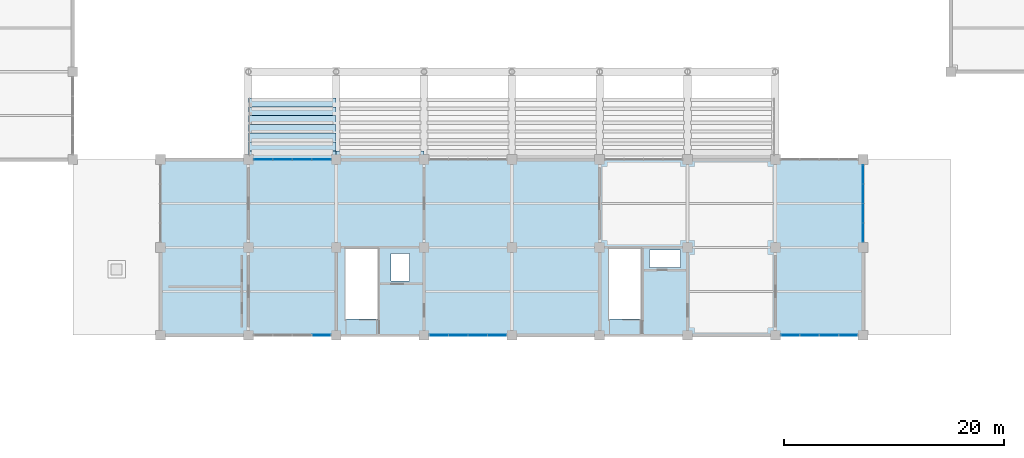
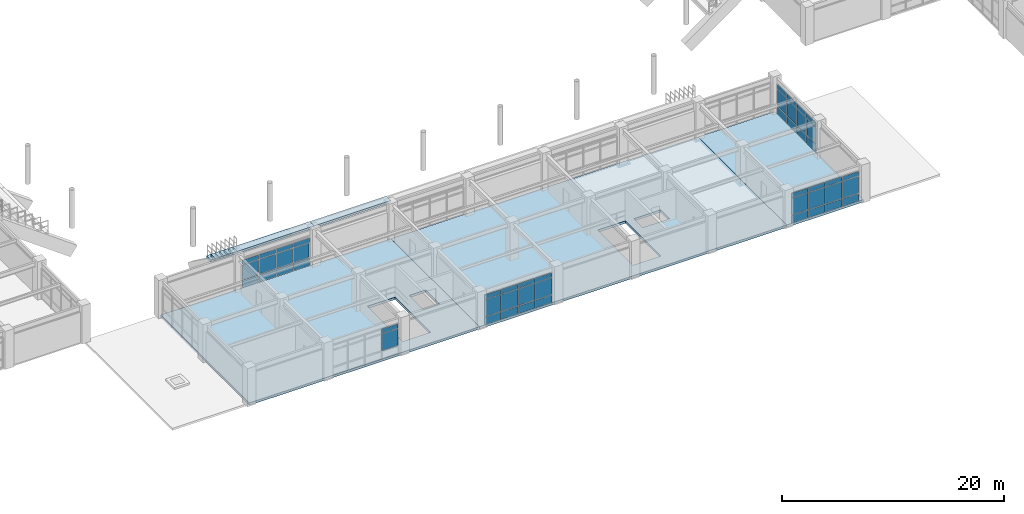
# One storey, part 66 of 118: 50 plates, 11 slabs, 5 elements without a shape of their own.
"""IFC4 building model written with IfcOpenShell, lengths in metres."""

from ifc_helpers import new_model, si_unit, direction, frame, origin, origin_2d, place, context, subcontext, project, spatial, polyline, rectangle, outline, extrude, material, layer, layer_set, type_object, element, aggregate, save


model = new_model("IFC4")

# Units and contexts
model_context = context("Model", 3, precision=1e-05, world=origin(), true_north=direction((0.0, 1.0)))
body_context = subcontext(model_context, "Body", "Model", "MODEL_VIEW")
ifc_project = project(units=[si_unit("LENGTHUNIT", "METRE"), si_unit("AREAUNIT", "SQUARE_METRE"), si_unit("VOLUMEUNIT", "CUBIC_METRE"), si_unit("PLANEANGLEUNIT", "RADIAN"), si_unit("MASSUNIT", "GRAM", prefix="KILO")], contexts=[model_context])

# Site, building, storey
site_placement = place(None, origin())
site = spatial("IfcSite", under=ifc_project, at=site_placement, CompositionType="ELEMENT")
building_placement = place(site_placement, origin())
building = spatial("IfcBuilding", under=site, at=building_placement, Name="Haebicheon Civic Stadium", CompositionType="ELEMENT")
storey_placement = place(building_placement, frame((0.0, 0.0, 14.39990234375)))
storey = spatial("IfcBuildingStorey", under=building, at=storey_placement, Name="L04", CompositionType="ELEMENT", Elevation=14.39990234375)

# Curtain wall, plate
ifc_material_1 = material(Name="Anodised aluminium and laminated glass", Category="aluminium")
ifc_layer_1 = layer(ifc_material_1, 0.179931640625, Name="Anodised aluminium and laminated glass")
ifc_layer_set_1 = layer_set([ifc_layer_1], Name="Anodised aluminium and laminated glass")
curtain_wall_type_1 = type_object("IfcCurtainWallType", Name="CW-7100x3350", PredefinedType="NOTDEFINED", material=ifc_layer_set_1)
curtain_wall_1_placement = place(storey_placement, origin())
curtain_wall_1 = element("IfcCurtainWall", 1, at=curtain_wall_1_placement, inside=storey, type_object=curtain_wall_type_1, material=ifc_layer_set_1, Name="L04 unitised curtain wall 129", PredefinedType="NOTDEFINED")
ifc_material_2 = material(Name="Double low-e acoustic laminated glass", Category="glass")
ifc_layer_2 = layer(ifc_material_2, 0.035888671875, Name="Double low-e acoustic laminated glass")
ifc_layer_set_2 = layer_set([ifc_layer_2], Name="Double low-e acoustic laminated glass")
plate_type_1 = type_object("IfcPlateType", Name="CWP-GLZ-36", PredefinedType="CURTAIN_PANEL", material=ifc_layer_set_2)
plate_1_placement = place(storey_placement, frame((86.64501953125, 16.0, 0.93505859375), z_axis=(0.0, 0.0, 1.0), x_axis=(1.0, 0.0, 0.0)))
plate_1 = element("IfcPlate", 2, at=plate_1_placement, type_object=plate_type_1, material=ifc_layer_set_2, Name="CW-L04-129 vision panel 4.2", PredefinedType="CURTAIN_PANEL", context=body_context, shape_type="SweptSolid", body=[
    extrude(rectangle(XDim=1.669921875, YDim=0.035888671875, at=origin_2d()), origin(), (0.0, 0.0, 1.0), 1.830078125),
])

# Curtain wall, plates
ifc_material_3 = material(Name="Anodised aluminium and laminated glass", Category="aluminium")
ifc_layer_3 = layer(ifc_material_3, 0.179931640625, Name="Anodised aluminium and laminated glass")
ifc_layer_set_3 = layer_set([ifc_layer_3], Name="Anodised aluminium and laminated glass")
curtain_wall_type_2 = type_object("IfcCurtainWallType", Name="CW-7100x3100", PredefinedType="NOTDEFINED", material=ifc_layer_set_3)
curtain_wall_2_placement = place(storey_placement, origin())
curtain_wall_2 = element("IfcCurtainWall", 3, at=curtain_wall_2_placement, inside=storey, type_object=curtain_wall_type_2, material=ifc_layer_set_3, Name="L04 unitised curtain wall 130", PredefinedType="NOTDEFINED")
plate_2_placement = place(storey_placement, frame((81.35498046875, 32.0, 0.93505859375), z_axis=(0.0, 0.0, 1.0), x_axis=(1.0, 0.0, 0.0)))
plate_2 = element("IfcPlate", 4, at=plate_2_placement, type_object=plate_type_1, material=ifc_layer_set_2, Name="CW-L04-130 vision panel 1.2", PredefinedType="CURTAIN_PANEL", context=body_context, shape_type="SweptSolid", body=[
    extrude(rectangle(XDim=1.669921875, YDim=0.035888671875, at=origin_2d()), origin(), (0.0, 0.0, 1.0), 1.580078125),
])
plate_3_placement = place(storey_placement, frame((83.112060546875, 32.0, 0.93505859375), z_axis=(0.0, 0.0, 1.0), x_axis=(1.0, 0.0, 0.0)))
plate_3 = element("IfcPlate", 5, at=plate_3_placement, type_object=plate_type_1, material=ifc_layer_set_2, Name="CW-L04-130 vision panel 2.2", PredefinedType="CURTAIN_PANEL", context=body_context, shape_type="SweptSolid", body=[
    extrude(rectangle(XDim=1.705078125, YDim=0.035888671875, at=origin_2d()), origin(), (0.0, 0.0, 1.0), 1.580078125),
])
plate_4_placement = place(storey_placement, frame((84.887939453125, 32.0, 0.93505859375), z_axis=(0.0, 0.0, 1.0), x_axis=(1.0, 0.0, 0.0)))
plate_4 = element("IfcPlate", 6, at=plate_4_placement, type_object=plate_type_1, material=ifc_layer_set_2, Name="CW-L04-130 vision panel 3.2", PredefinedType="CURTAIN_PANEL", context=body_context, shape_type="SweptSolid", body=[
    extrude(rectangle(XDim=1.705078125, YDim=0.035888671875, at=origin_2d()), origin(), (0.0, 0.0, 1.0), 1.580078125),
])
plate_5_placement = place(storey_placement, frame((86.64501953125, 32.0, 0.93505859375), z_axis=(0.0, 0.0, 1.0), x_axis=(1.0, 0.0, 0.0)))
plate_5 = element("IfcPlate", 7, at=plate_5_placement, type_object=plate_type_1, material=ifc_layer_set_2, Name="CW-L04-130 vision panel 4.2", PredefinedType="CURTAIN_PANEL", context=body_context, shape_type="SweptSolid", body=[
    extrude(rectangle(XDim=1.669921875, YDim=0.035888671875, at=origin_2d()), origin(), (0.0, 0.0, 1.0), 1.580078125),
])

curtain_wall_3_placement = place(storey_placement, origin())
curtain_wall_3 = element("IfcCurtainWall", 8, at=curtain_wall_3_placement, inside=storey, type_object=curtain_wall_type_1, material=ifc_layer_set_1, Name="L04 unitised curtain wall 132", PredefinedType="NOTDEFINED")
plate_6_placement = place(storey_placement, frame((97.35498046875, 16.0, 0.93505859375), z_axis=(0.0, 0.0, 1.0), x_axis=(1.0, 0.0, 0.0)))
plate_6 = element("IfcPlate", 9, at=plate_6_placement, type_object=plate_type_1, material=ifc_layer_set_2, Name="CW-L04-132 vision panel 1.2", PredefinedType="CURTAIN_PANEL", context=body_context, shape_type="SweptSolid", body=[
    extrude(rectangle(XDim=1.669921875, YDim=0.035888671875, at=origin_2d()), origin(), (0.0, 0.0, 1.0), 1.830078125),
])
plate_7_placement = place(storey_placement, frame((99.112060546875, 16.0, 0.93505859375), z_axis=(0.0, 0.0, 1.0), x_axis=(1.0, 0.0, 0.0)))
plate_7 = element("IfcPlate", 10, at=plate_7_placement, type_object=plate_type_1, material=ifc_layer_set_2, Name="CW-L04-132 vision panel 2.2", PredefinedType="CURTAIN_PANEL", context=body_context, shape_type="SweptSolid", body=[
    extrude(rectangle(XDim=1.705078125, YDim=0.035888671875, at=origin_2d()), origin(), (0.0, 0.0, 1.0), 1.830078125),
])
plate_8_placement = place(storey_placement, frame((100.887939453125, 16.0, 0.93505859375), z_axis=(0.0, 0.0, 1.0), x_axis=(1.0, 0.0, 0.0)))
plate_8 = element("IfcPlate", 11, at=plate_8_placement, type_object=plate_type_1, material=ifc_layer_set_2, Name="CW-L04-132 vision panel 3.2", PredefinedType="CURTAIN_PANEL", context=body_context, shape_type="SweptSolid", body=[
    extrude(rectangle(XDim=1.705078125, YDim=0.035888671875, at=origin_2d()), origin(), (0.0, 0.0, 1.0), 1.830078125),
])
plate_9_placement = place(storey_placement, frame((102.64501953125, 16.0, 0.93505859375), z_axis=(0.0, 0.0, 1.0), x_axis=(1.0, 0.0, 0.0)))
plate_9 = element("IfcPlate", 12, at=plate_9_placement, type_object=plate_type_1, material=ifc_layer_set_2, Name="CW-L04-132 vision panel 4.2", PredefinedType="CURTAIN_PANEL", context=body_context, shape_type="SweptSolid", body=[
    extrude(rectangle(XDim=1.669921875, YDim=0.035888671875, at=origin_2d()), origin(), (0.0, 0.0, 1.0), 1.830078125),
])

curtain_wall_4_placement = place(storey_placement, origin())
curtain_wall_4 = element("IfcCurtainWall", 13, at=curtain_wall_4_placement, inside=storey, type_object=curtain_wall_type_1, material=ifc_layer_set_1, Name="L04 unitised curtain wall 139", PredefinedType="NOTDEFINED")
plate_10_placement = place(storey_placement, frame((129.35498046875, 16.0, 0.93505859375), z_axis=(0.0, 0.0, 1.0), x_axis=(1.0, 0.0, 0.0)))
plate_10 = element("IfcPlate", 14, at=plate_10_placement, type_object=plate_type_1, material=ifc_layer_set_2, Name="CW-L04-139 vision panel 1.2", PredefinedType="CURTAIN_PANEL", context=body_context, shape_type="SweptSolid", body=[
    extrude(rectangle(XDim=1.669921875, YDim=0.035888671875, at=origin_2d()), origin(), (0.0, 0.0, 1.0), 1.830078125),
])
plate_11_placement = place(storey_placement, frame((131.112060546875, 16.0, 0.93505859375), z_axis=(0.0, 0.0, 1.0), x_axis=(1.0, 0.0, 0.0)))
plate_11 = element("IfcPlate", 15, at=plate_11_placement, type_object=plate_type_1, material=ifc_layer_set_2, Name="CW-L04-139 vision panel 2.2", PredefinedType="CURTAIN_PANEL", context=body_context, shape_type="SweptSolid", body=[
    extrude(rectangle(XDim=1.705078125, YDim=0.035888671875, at=origin_2d()), origin(), (0.0, 0.0, 1.0), 1.830078125),
])
plate_12_placement = place(storey_placement, frame((132.887939453125, 16.0, 0.93505859375), z_axis=(0.0, 0.0, 1.0), x_axis=(1.0, 0.0, 0.0)))
plate_12 = element("IfcPlate", 16, at=plate_12_placement, type_object=plate_type_1, material=ifc_layer_set_2, Name="CW-L04-139 vision panel 3.2", PredefinedType="CURTAIN_PANEL", context=body_context, shape_type="SweptSolid", body=[
    extrude(rectangle(XDim=1.705078125, YDim=0.035888671875, at=origin_2d()), origin(), (0.0, 0.0, 1.0), 1.830078125),
])
plate_13_placement = place(storey_placement, frame((134.64501953125, 16.0, 0.93505859375), z_axis=(0.0, 0.0, 1.0), x_axis=(1.0, 0.0, 0.0)))
plate_13 = element("IfcPlate", 17, at=plate_13_placement, type_object=plate_type_1, material=ifc_layer_set_2, Name="CW-L04-139 vision panel 4.2", PredefinedType="CURTAIN_PANEL", context=body_context, shape_type="SweptSolid", body=[
    extrude(rectangle(XDim=1.669921875, YDim=0.035888671875, at=origin_2d()), origin(), (0.0, 0.0, 1.0), 1.830078125),
])

curtain_wall_5_placement = place(storey_placement, origin())
curtain_wall_5 = element("IfcCurtainWall", 18, at=curtain_wall_5_placement, inside=storey, type_object=curtain_wall_type_1, material=ifc_layer_set_1, Name="L04 unitised curtain wall 141", PredefinedType="NOTDEFINED")
plate_14_placement = place(storey_placement, frame((136.0, 25.35498046875, 0.93505859375), z_axis=(0.0, 0.0, 1.0), x_axis=(0.0, 1.0, 0.0)))
plate_14 = element("IfcPlate", 19, at=plate_14_placement, type_object=plate_type_1, material=ifc_layer_set_2, Name="CW-L04-141 vision panel 1.2", PredefinedType="CURTAIN_PANEL", context=body_context, shape_type="SweptSolid", body=[
    extrude(rectangle(XDim=1.669921875, YDim=0.035888671875, at=origin_2d()), origin(), (0.0, 0.0, 1.0), 1.830078125),
])
plate_15_placement = place(storey_placement, frame((136.0, 27.112060546875, 0.93505859375), z_axis=(0.0, 0.0, 1.0), x_axis=(0.0, 1.0, 0.0)))
plate_15 = element("IfcPlate", 20, at=plate_15_placement, type_object=plate_type_1, material=ifc_layer_set_2, Name="CW-L04-141 vision panel 2.2", PredefinedType="CURTAIN_PANEL", context=body_context, shape_type="SweptSolid", body=[
    extrude(rectangle(XDim=1.705078125, YDim=0.035888671875, at=origin_2d()), origin(), (0.0, 0.0, 1.0), 1.830078125),
])
plate_16_placement = place(storey_placement, frame((136.0, 28.887939453125, 0.93505859375), z_axis=(0.0, 0.0, 1.0), x_axis=(0.0, 1.0, 0.0)))
plate_16 = element("IfcPlate", 21, at=plate_16_placement, type_object=plate_type_1, material=ifc_layer_set_2, Name="CW-L04-141 vision panel 3.2", PredefinedType="CURTAIN_PANEL", context=body_context, shape_type="SweptSolid", body=[
    extrude(rectangle(XDim=1.705078125, YDim=0.035888671875, at=origin_2d()), origin(), (0.0, 0.0, 1.0), 1.830078125),
])
plate_17_placement = place(storey_placement, frame((136.0, 30.64501953125, 0.93505859375), z_axis=(0.0, 0.0, 1.0), x_axis=(0.0, 1.0, 0.0)))
plate_17 = element("IfcPlate", 22, at=plate_17_placement, type_object=plate_type_1, material=ifc_layer_set_2, Name="CW-L04-141 vision panel 4.2", PredefinedType="CURTAIN_PANEL", context=body_context, shape_type="SweptSolid", body=[
    extrude(rectangle(XDim=1.669921875, YDim=0.035888671875, at=origin_2d()), origin(), (0.0, 0.0, 1.0), 1.830078125),
])

# Plate
ifc_material_4 = material(Name="Anodised aluminium 6063-T6", Category="aluminium")
ifc_layer_4 = layer(ifc_material_4, 0.053955078125, Name="Anodised aluminium 6063-T6")
ifc_layer_set_4 = layer_set([ifc_layer_4], Name="Anodised aluminium 6063-T6")
plate_type_2 = type_object("IfcPlateType", Name="CWP-SPD-54", PredefinedType="CURTAIN_PANEL", material=ifc_layer_set_4)
plate_18_placement = place(storey_placement, frame((86.64501953125, 16.0, 2.835205078125), z_axis=(0.0, 0.0, 1.0), x_axis=(1.0, 0.0, 0.0)))
plate_18 = element("IfcPlate", 23, at=plate_18_placement, type_object=plate_type_2, material=ifc_layer_set_4, Name="CW-L04-129 spandrel panel 4.3", PredefinedType="CURTAIN_PANEL", context=body_context, shape_type="SweptSolid", body=[
    extrude(rectangle(XDim=1.669921875, YDim=0.053955078125, at=origin_2d()), origin(), (0.0, 0.0, 1.0), 0.47998046875),
])

aggregate(curtain_wall_1, [plate_1, plate_18])

plate_19_placement = place(storey_placement, frame((81.35498046875, 32.0, 0.03515625), z_axis=(0.0, 0.0, 1.0), x_axis=(1.0, 0.0, 0.0)))
plate_19 = element("IfcPlate", 24, at=plate_19_placement, type_object=plate_type_2, material=ifc_layer_set_4, Name="CW-L04-130 spandrel panel 1.1", PredefinedType="CURTAIN_PANEL", context=body_context, shape_type="SweptSolid", body=[
    extrude(rectangle(XDim=1.669921875, YDim=0.053955078125, at=origin_2d()), origin(), (0.0, 0.0, 1.0), 0.830078125),
])

plate_20_placement = place(storey_placement, frame((81.35498046875, 32.0, 2.585205078125), z_axis=(0.0, 0.0, 1.0), x_axis=(1.0, 0.0, 0.0)))
plate_20 = element("IfcPlate", 25, at=plate_20_placement, type_object=plate_type_2, material=ifc_layer_set_4, Name="CW-L04-130 spandrel panel 1.3", PredefinedType="CURTAIN_PANEL", context=body_context, shape_type="SweptSolid", body=[
    extrude(rectangle(XDim=1.669921875, YDim=0.053955078125, at=origin_2d()), origin(), (0.0, 0.0, 1.0), 0.47998046875),
])

plate_21_placement = place(storey_placement, frame((83.112060546875, 32.0, 0.03515625), z_axis=(0.0, 0.0, 1.0), x_axis=(1.0, 0.0, 0.0)))
plate_21 = element("IfcPlate", 26, at=plate_21_placement, type_object=plate_type_2, material=ifc_layer_set_4, Name="CW-L04-130 spandrel panel 2.1", PredefinedType="CURTAIN_PANEL", context=body_context, shape_type="SweptSolid", body=[
    extrude(rectangle(XDim=1.705078125, YDim=0.053955078125, at=origin_2d()), origin(), (0.0, 0.0, 1.0), 0.830078125),
])

plate_22_placement = place(storey_placement, frame((83.112060546875, 32.0, 2.585205078125), z_axis=(0.0, 0.0, 1.0), x_axis=(1.0, 0.0, 0.0)))
plate_22 = element("IfcPlate", 27, at=plate_22_placement, type_object=plate_type_2, material=ifc_layer_set_4, Name="CW-L04-130 spandrel panel 2.3", PredefinedType="CURTAIN_PANEL", context=body_context, shape_type="SweptSolid", body=[
    extrude(rectangle(XDim=1.705078125, YDim=0.053955078125, at=origin_2d()), origin(), (0.0, 0.0, 1.0), 0.47998046875),
])

plate_23_placement = place(storey_placement, frame((84.887939453125, 32.0, 0.03515625), z_axis=(0.0, 0.0, 1.0), x_axis=(1.0, 0.0, 0.0)))
plate_23 = element("IfcPlate", 28, at=plate_23_placement, type_object=plate_type_2, material=ifc_layer_set_4, Name="CW-L04-130 spandrel panel 3.1", PredefinedType="CURTAIN_PANEL", context=body_context, shape_type="SweptSolid", body=[
    extrude(rectangle(XDim=1.705078125, YDim=0.053955078125, at=origin_2d()), origin(), (0.0, 0.0, 1.0), 0.830078125),
])

plate_24_placement = place(storey_placement, frame((84.887939453125, 32.0, 2.585205078125), z_axis=(0.0, 0.0, 1.0), x_axis=(1.0, 0.0, 0.0)))
plate_24 = element("IfcPlate", 29, at=plate_24_placement, type_object=plate_type_2, material=ifc_layer_set_4, Name="CW-L04-130 spandrel panel 3.3", PredefinedType="CURTAIN_PANEL", context=body_context, shape_type="SweptSolid", body=[
    extrude(rectangle(XDim=1.705078125, YDim=0.053955078125, at=origin_2d()), origin(), (0.0, 0.0, 1.0), 0.47998046875),
])

plate_25_placement = place(storey_placement, frame((86.64501953125, 32.0, 0.03515625), z_axis=(0.0, 0.0, 1.0), x_axis=(1.0, 0.0, 0.0)))
plate_25 = element("IfcPlate", 30, at=plate_25_placement, type_object=plate_type_2, material=ifc_layer_set_4, Name="CW-L04-130 spandrel panel 4.1", PredefinedType="CURTAIN_PANEL", context=body_context, shape_type="SweptSolid", body=[
    extrude(rectangle(XDim=1.669921875, YDim=0.053955078125, at=origin_2d()), origin(), (0.0, 0.0, 1.0), 0.830078125),
])

plate_26_placement = place(storey_placement, frame((86.64501953125, 32.0, 2.585205078125), z_axis=(0.0, 0.0, 1.0), x_axis=(1.0, 0.0, 0.0)))
plate_26 = element("IfcPlate", 31, at=plate_26_placement, type_object=plate_type_2, material=ifc_layer_set_4, Name="CW-L04-130 spandrel panel 4.3", PredefinedType="CURTAIN_PANEL", context=body_context, shape_type="SweptSolid", body=[
    extrude(rectangle(XDim=1.669921875, YDim=0.053955078125, at=origin_2d()), origin(), (0.0, 0.0, 1.0), 0.47998046875),
])

aggregate(curtain_wall_2, [plate_19, plate_2, plate_20, plate_21, plate_3, plate_22, plate_23, plate_4, plate_24, plate_25, plate_5, plate_26])

plate_27_placement = place(storey_placement, frame((97.35498046875, 16.0, 0.03515625), z_axis=(0.0, 0.0, 1.0), x_axis=(1.0, 0.0, 0.0)))
plate_27 = element("IfcPlate", 32, at=plate_27_placement, type_object=plate_type_2, material=ifc_layer_set_4, Name="CW-L04-132 spandrel panel 1.1", PredefinedType="CURTAIN_PANEL", context=body_context, shape_type="SweptSolid", body=[
    extrude(rectangle(XDim=1.669921875, YDim=0.053955078125, at=origin_2d()), origin(), (0.0, 0.0, 1.0), 0.830078125),
])

plate_28_placement = place(storey_placement, frame((97.35498046875, 16.0, 2.835205078125), z_axis=(0.0, 0.0, 1.0), x_axis=(1.0, 0.0, 0.0)))
plate_28 = element("IfcPlate", 33, at=plate_28_placement, type_object=plate_type_2, material=ifc_layer_set_4, Name="CW-L04-132 spandrel panel 1.3", PredefinedType="CURTAIN_PANEL", context=body_context, shape_type="SweptSolid", body=[
    extrude(rectangle(XDim=1.669921875, YDim=0.053955078125, at=origin_2d()), origin(), (0.0, 0.0, 1.0), 0.47998046875),
])

plate_29_placement = place(storey_placement, frame((99.112060546875, 16.0, 0.03515625), z_axis=(0.0, 0.0, 1.0), x_axis=(1.0, 0.0, 0.0)))
plate_29 = element("IfcPlate", 34, at=plate_29_placement, type_object=plate_type_2, material=ifc_layer_set_4, Name="CW-L04-132 spandrel panel 2.1", PredefinedType="CURTAIN_PANEL", context=body_context, shape_type="SweptSolid", body=[
    extrude(rectangle(XDim=1.705078125, YDim=0.053955078125, at=origin_2d()), origin(), (0.0, 0.0, 1.0), 0.830078125),
])

plate_30_placement = place(storey_placement, frame((99.112060546875, 16.0, 2.835205078125), z_axis=(0.0, 0.0, 1.0), x_axis=(1.0, 0.0, 0.0)))
plate_30 = element("IfcPlate", 35, at=plate_30_placement, type_object=plate_type_2, material=ifc_layer_set_4, Name="CW-L04-132 spandrel panel 2.3", PredefinedType="CURTAIN_PANEL", context=body_context, shape_type="SweptSolid", body=[
    extrude(rectangle(XDim=1.705078125, YDim=0.053955078125, at=origin_2d()), origin(), (0.0, 0.0, 1.0), 0.47998046875),
])

plate_31_placement = place(storey_placement, frame((100.887939453125, 16.0, 0.03515625), z_axis=(0.0, 0.0, 1.0), x_axis=(1.0, 0.0, 0.0)))
plate_31 = element("IfcPlate", 36, at=plate_31_placement, type_object=plate_type_2, material=ifc_layer_set_4, Name="CW-L04-132 spandrel panel 3.1", PredefinedType="CURTAIN_PANEL", context=body_context, shape_type="SweptSolid", body=[
    extrude(rectangle(XDim=1.705078125, YDim=0.053955078125, at=origin_2d()), origin(), (0.0, 0.0, 1.0), 0.830078125),
])

plate_32_placement = place(storey_placement, frame((100.887939453125, 16.0, 2.835205078125), z_axis=(0.0, 0.0, 1.0), x_axis=(1.0, 0.0, 0.0)))
plate_32 = element("IfcPlate", 37, at=plate_32_placement, type_object=plate_type_2, material=ifc_layer_set_4, Name="CW-L04-132 spandrel panel 3.3", PredefinedType="CURTAIN_PANEL", context=body_context, shape_type="SweptSolid", body=[
    extrude(rectangle(XDim=1.705078125, YDim=0.053955078125, at=origin_2d()), origin(), (0.0, 0.0, 1.0), 0.47998046875),
])

plate_33_placement = place(storey_placement, frame((102.64501953125, 16.0, 0.03515625), z_axis=(0.0, 0.0, 1.0), x_axis=(1.0, 0.0, 0.0)))
plate_33 = element("IfcPlate", 38, at=plate_33_placement, type_object=plate_type_2, material=ifc_layer_set_4, Name="CW-L04-132 spandrel panel 4.1", PredefinedType="CURTAIN_PANEL", context=body_context, shape_type="SweptSolid", body=[
    extrude(rectangle(XDim=1.669921875, YDim=0.053955078125, at=origin_2d()), origin(), (0.0, 0.0, 1.0), 0.830078125),
])

plate_34_placement = place(storey_placement, frame((102.64501953125, 16.0, 2.835205078125), z_axis=(0.0, 0.0, 1.0), x_axis=(1.0, 0.0, 0.0)))
plate_34 = element("IfcPlate", 39, at=plate_34_placement, type_object=plate_type_2, material=ifc_layer_set_4, Name="CW-L04-132 spandrel panel 4.3", PredefinedType="CURTAIN_PANEL", context=body_context, shape_type="SweptSolid", body=[
    extrude(rectangle(XDim=1.669921875, YDim=0.053955078125, at=origin_2d()), origin(), (0.0, 0.0, 1.0), 0.47998046875),
])

aggregate(curtain_wall_3, [plate_27, plate_6, plate_28, plate_29, plate_7, plate_30, plate_31, plate_8, plate_32, plate_33, plate_9, plate_34])

plate_35_placement = place(storey_placement, frame((129.35498046875, 16.0, 0.03515625), z_axis=(0.0, 0.0, 1.0), x_axis=(1.0, 0.0, 0.0)))
plate_35 = element("IfcPlate", 40, at=plate_35_placement, type_object=plate_type_2, material=ifc_layer_set_4, Name="CW-L04-139 spandrel panel 1.1", PredefinedType="CURTAIN_PANEL", context=body_context, shape_type="SweptSolid", body=[
    extrude(rectangle(XDim=1.669921875, YDim=0.053955078125, at=origin_2d()), origin(), (0.0, 0.0, 1.0), 0.830078125),
])

plate_36_placement = place(storey_placement, frame((129.35498046875, 16.0, 2.835205078125), z_axis=(0.0, 0.0, 1.0), x_axis=(1.0, 0.0, 0.0)))
plate_36 = element("IfcPlate", 41, at=plate_36_placement, type_object=plate_type_2, material=ifc_layer_set_4, Name="CW-L04-139 spandrel panel 1.3", PredefinedType="CURTAIN_PANEL", context=body_context, shape_type="SweptSolid", body=[
    extrude(rectangle(XDim=1.669921875, YDim=0.053955078125, at=origin_2d()), origin(), (0.0, 0.0, 1.0), 0.47998046875),
])

plate_37_placement = place(storey_placement, frame((131.112060546875, 16.0, 0.03515625), z_axis=(0.0, 0.0, 1.0), x_axis=(1.0, 0.0, 0.0)))
plate_37 = element("IfcPlate", 42, at=plate_37_placement, type_object=plate_type_2, material=ifc_layer_set_4, Name="CW-L04-139 spandrel panel 2.1", PredefinedType="CURTAIN_PANEL", context=body_context, shape_type="SweptSolid", body=[
    extrude(rectangle(XDim=1.705078125, YDim=0.053955078125, at=origin_2d()), origin(), (0.0, 0.0, 1.0), 0.830078125),
])

plate_38_placement = place(storey_placement, frame((131.112060546875, 16.0, 2.835205078125), z_axis=(0.0, 0.0, 1.0), x_axis=(1.0, 0.0, 0.0)))
plate_38 = element("IfcPlate", 43, at=plate_38_placement, type_object=plate_type_2, material=ifc_layer_set_4, Name="CW-L04-139 spandrel panel 2.3", PredefinedType="CURTAIN_PANEL", context=body_context, shape_type="SweptSolid", body=[
    extrude(rectangle(XDim=1.705078125, YDim=0.053955078125, at=origin_2d()), origin(), (0.0, 0.0, 1.0), 0.47998046875),
])

plate_39_placement = place(storey_placement, frame((132.887939453125, 16.0, 0.03515625), z_axis=(0.0, 0.0, 1.0), x_axis=(1.0, 0.0, 0.0)))
plate_39 = element("IfcPlate", 44, at=plate_39_placement, type_object=plate_type_2, material=ifc_layer_set_4, Name="CW-L04-139 spandrel panel 3.1", PredefinedType="CURTAIN_PANEL", context=body_context, shape_type="SweptSolid", body=[
    extrude(rectangle(XDim=1.705078125, YDim=0.053955078125, at=origin_2d()), origin(), (0.0, 0.0, 1.0), 0.830078125),
])

plate_40_placement = place(storey_placement, frame((132.887939453125, 16.0, 2.835205078125), z_axis=(0.0, 0.0, 1.0), x_axis=(1.0, 0.0, 0.0)))
plate_40 = element("IfcPlate", 45, at=plate_40_placement, type_object=plate_type_2, material=ifc_layer_set_4, Name="CW-L04-139 spandrel panel 3.3", PredefinedType="CURTAIN_PANEL", context=body_context, shape_type="SweptSolid", body=[
    extrude(rectangle(XDim=1.705078125, YDim=0.053955078125, at=origin_2d()), origin(), (0.0, 0.0, 1.0), 0.47998046875),
])

plate_41_placement = place(storey_placement, frame((134.64501953125, 16.0, 0.03515625), z_axis=(0.0, 0.0, 1.0), x_axis=(1.0, 0.0, 0.0)))
plate_41 = element("IfcPlate", 46, at=plate_41_placement, type_object=plate_type_2, material=ifc_layer_set_4, Name="CW-L04-139 spandrel panel 4.1", PredefinedType="CURTAIN_PANEL", context=body_context, shape_type="SweptSolid", body=[
    extrude(rectangle(XDim=1.669921875, YDim=0.053955078125, at=origin_2d()), origin(), (0.0, 0.0, 1.0), 0.830078125),
])

plate_42_placement = place(storey_placement, frame((134.64501953125, 16.0, 2.835205078125), z_axis=(0.0, 0.0, 1.0), x_axis=(1.0, 0.0, 0.0)))
plate_42 = element("IfcPlate", 47, at=plate_42_placement, type_object=plate_type_2, material=ifc_layer_set_4, Name="CW-L04-139 spandrel panel 4.3", PredefinedType="CURTAIN_PANEL", context=body_context, shape_type="SweptSolid", body=[
    extrude(rectangle(XDim=1.669921875, YDim=0.053955078125, at=origin_2d()), origin(), (0.0, 0.0, 1.0), 0.47998046875),
])

aggregate(curtain_wall_4, [plate_35, plate_10, plate_36, plate_37, plate_11, plate_38, plate_39, plate_12, plate_40, plate_41, plate_13, plate_42])

plate_43_placement = place(storey_placement, frame((136.0, 25.35498046875, 0.03515625), z_axis=(0.0, 0.0, 1.0), x_axis=(0.0, 1.0, 0.0)))
plate_43 = element("IfcPlate", 48, at=plate_43_placement, type_object=plate_type_2, material=ifc_layer_set_4, Name="CW-L04-141 spandrel panel 1.1", PredefinedType="CURTAIN_PANEL", context=body_context, shape_type="SweptSolid", body=[
    extrude(rectangle(XDim=1.669921875, YDim=0.053955078125, at=origin_2d()), origin(), (0.0, 0.0, 1.0), 0.830078125),
])

plate_44_placement = place(storey_placement, frame((136.0, 25.35498046875, 2.835205078125), z_axis=(0.0, 0.0, 1.0), x_axis=(0.0, 1.0, 0.0)))
plate_44 = element("IfcPlate", 49, at=plate_44_placement, type_object=plate_type_2, material=ifc_layer_set_4, Name="CW-L04-141 spandrel panel 1.3", PredefinedType="CURTAIN_PANEL", context=body_context, shape_type="SweptSolid", body=[
    extrude(rectangle(XDim=1.669921875, YDim=0.053955078125, at=origin_2d()), origin(), (0.0, 0.0, 1.0), 0.47998046875),
])

plate_45_placement = place(storey_placement, frame((136.0, 27.112060546875, 0.03515625), z_axis=(0.0, 0.0, 1.0), x_axis=(0.0, 1.0, 0.0)))
plate_45 = element("IfcPlate", 50, at=plate_45_placement, type_object=plate_type_2, material=ifc_layer_set_4, Name="CW-L04-141 spandrel panel 2.1", PredefinedType="CURTAIN_PANEL", context=body_context, shape_type="SweptSolid", body=[
    extrude(rectangle(XDim=1.705078125, YDim=0.053955078125, at=origin_2d()), origin(), (0.0, 0.0, 1.0), 0.830078125),
])

plate_46_placement = place(storey_placement, frame((136.0, 27.112060546875, 2.835205078125), z_axis=(0.0, 0.0, 1.0), x_axis=(0.0, 1.0, 0.0)))
plate_46 = element("IfcPlate", 51, at=plate_46_placement, type_object=plate_type_2, material=ifc_layer_set_4, Name="CW-L04-141 spandrel panel 2.3", PredefinedType="CURTAIN_PANEL", context=body_context, shape_type="SweptSolid", body=[
    extrude(rectangle(XDim=1.705078125, YDim=0.053955078125, at=origin_2d()), origin(), (0.0, 0.0, 1.0), 0.47998046875),
])

plate_47_placement = place(storey_placement, frame((136.0, 28.887939453125, 0.03515625), z_axis=(0.0, 0.0, 1.0), x_axis=(0.0, 1.0, 0.0)))
plate_47 = element("IfcPlate", 52, at=plate_47_placement, type_object=plate_type_2, material=ifc_layer_set_4, Name="CW-L04-141 spandrel panel 3.1", PredefinedType="CURTAIN_PANEL", context=body_context, shape_type="SweptSolid", body=[
    extrude(rectangle(XDim=1.705078125, YDim=0.053955078125, at=origin_2d()), origin(), (0.0, 0.0, 1.0), 0.830078125),
])

plate_48_placement = place(storey_placement, frame((136.0, 28.887939453125, 2.835205078125), z_axis=(0.0, 0.0, 1.0), x_axis=(0.0, 1.0, 0.0)))
plate_48 = element("IfcPlate", 53, at=plate_48_placement, type_object=plate_type_2, material=ifc_layer_set_4, Name="CW-L04-141 spandrel panel 3.3", PredefinedType="CURTAIN_PANEL", context=body_context, shape_type="SweptSolid", body=[
    extrude(rectangle(XDim=1.705078125, YDim=0.053955078125, at=origin_2d()), origin(), (0.0, 0.0, 1.0), 0.47998046875),
])

plate_49_placement = place(storey_placement, frame((136.0, 30.64501953125, 0.03515625), z_axis=(0.0, 0.0, 1.0), x_axis=(0.0, 1.0, 0.0)))
plate_49 = element("IfcPlate", 54, at=plate_49_placement, type_object=plate_type_2, material=ifc_layer_set_4, Name="CW-L04-141 spandrel panel 4.1", PredefinedType="CURTAIN_PANEL", context=body_context, shape_type="SweptSolid", body=[
    extrude(rectangle(XDim=1.669921875, YDim=0.053955078125, at=origin_2d()), origin(), (0.0, 0.0, 1.0), 0.830078125),
])

plate_50_placement = place(storey_placement, frame((136.0, 30.64501953125, 2.835205078125), z_axis=(0.0, 0.0, 1.0), x_axis=(0.0, 1.0, 0.0)))
plate_50 = element("IfcPlate", 55, at=plate_50_placement, type_object=plate_type_2, material=ifc_layer_set_4, Name="CW-L04-141 spandrel panel 4.3", PredefinedType="CURTAIN_PANEL", context=body_context, shape_type="SweptSolid", body=[
    extrude(rectangle(XDim=1.669921875, YDim=0.053955078125, at=origin_2d()), origin(), (0.0, 0.0, 1.0), 0.47998046875),
])

aggregate(curtain_wall_5, [plate_43, plate_14, plate_44, plate_45, plate_15, plate_46, plate_47, plate_16, plate_48, plate_49, plate_17, plate_50])

# Slabs
ifc_material_5 = material(Name="Concrete C40/50", Category="concrete")
ifc_layer_5 = layer(ifc_material_5, 0.260009765625, Name="Concrete C40/50")
ifc_layer_set_5 = layer_set([ifc_layer_5], Name="Concrete C40/50")
slab_type_1 = type_object("IfcSlabType", Name="SLB-FLR-260", PredefinedType="FLOOR", material=ifc_layer_set_5)
slab_1_placement = place(storey_placement, frame((0.0, 0.0, -0.260009765625)))
element("IfcSlab", 56, at=slab_1_placement, inside=storey, type_object=slab_type_1, material=ifc_layer_set_5, Name="L04 V2 structural slab 1.1", PredefinedType="FLOOR", context=body_context, shape_type="SweptSolid", body=[
    extrude(outline(polyline([(72.0, 24.0), (72.0, 32.0), (80.0, 32.0), (88.0, 32.0), (96.0, 32.0), (96.0, 24.0), (96.0, 16.0), (88.0, 16.0), (80.0, 16.0), (72.0, 16.0), (72.0, 24.0)]), holes=[polyline([(88.840087890625, 17.4599609375), (91.739990234375, 17.4599609375), (91.739990234375, 23.840087890625), (88.840087890625, 23.840087890625), (88.840087890625, 17.4599609375)]), polyline([(92.969970703125, 20.929931640625), (94.669921875, 20.929931640625), (94.669921875, 23.429931640625), (92.969970703125, 23.429931640625), (92.969970703125, 20.929931640625)])]), origin(), (0.0, 0.0, 1.0), 0.260009765625),
])
slab_2_placement = place(storey_placement, frame((0.0, 0.0, -0.260009765625)))
element("IfcSlab", 57, at=slab_2_placement, inside=storey, type_object=slab_type_1, material=ifc_layer_set_5, Name="L04 V2 structural slab 4.1", PredefinedType="FLOOR", context=body_context, shape_type="SweptSolid", body=[
    extrude(outline(polyline([(128.0, 16.0), (120.0, 16.0), (112.0, 16.0), (104.0, 16.0), (96.0, 16.0), (96.0, 24.0), (96.0, 32.0), (104.0, 32.0), (112.0, 32.0), (120.0, 32.0), (128.0, 32.0), (128.0, 24.0), (128.0, 16.0)]), holes=[polyline([(112.840087890625, 17.4599609375), (115.739990234375, 17.4599609375), (115.739990234375, 23.840087890625), (112.840087890625, 23.840087890625), (112.840087890625, 17.4599609375)]), polyline([(116.550048828125, 22.14990234375), (119.35009765625, 22.14990234375), (119.35009765625, 23.75), (116.550048828125, 23.75), (116.550048828125, 22.14990234375)])]), origin(), (0.0, 0.0, 1.0), 0.260009765625),
])
slab_3_placement = place(storey_placement, frame((0.0, 0.0, -0.260009765625)))
element("IfcSlab", 58, at=slab_3_placement, inside=storey, type_object=slab_type_1, material=ifc_layer_set_5, Name="L04 V2 structural slab 7.1", PredefinedType="FLOOR", context=body_context, shape_type="SweptSolid", body=[
    extrude(outline(polyline([(136.0, 16.0), (128.0, 16.0), (128.0, 24.0), (128.0, 32.0), (136.0, 32.0), (136.0, 24.0), (136.0, 16.0)])), origin(), (0.0, 0.0, 1.0), 0.260009765625),
])
ifc_material_6 = material(Name="Precast concrete C40/50", Category="concrete")
ifc_layer_6 = layer(ifc_material_6, 0.239990234375, Name="Precast concrete C40/50")
ifc_layer_set_6 = layer_set([ifc_layer_6], Name="Precast concrete C40/50")
slab_type_2 = type_object("IfcSlabType", Name="SLB-TIER-240", PredefinedType="USERDEFINED", material=ifc_layer_set_6)
slab_4_placement = place(storey_placement, frame((0.0, 0.0, 0.093017578125)))
element("IfcSlab", 59, at=slab_4_placement, inside=storey, type_object=slab_type_2, material=ifc_layer_set_6, Name="TIER-S-U precast seating tier bay 1 row-band 4", ObjectType="SEATING TIER", PredefinedType="USERDEFINED", context=body_context, shape_type="SweptSolid", body=[
    extrude(outline(polyline([(80.0, 36.800048828125), (88.0, 36.800048828125), (88.0, 37.60009765625), (80.0, 37.60009765625), (80.0, 36.800048828125)])), origin(), (0.0, 0.0, 1.0), 0.239990234375),
])
slab_5_placement = place(storey_placement, frame((0.0, 0.0, 0.738037109375)))
element("IfcSlab", 60, at=slab_5_placement, inside=storey, type_object=slab_type_2, material=ifc_layer_set_6, Name="TIER-S-U precast seating tier bay 1 row-band 5", ObjectType="SEATING TIER", PredefinedType="USERDEFINED", context=body_context, shape_type="SweptSolid", body=[
    extrude(outline(polyline([(80.0, 36.0), (88.0, 36.0), (88.0, 36.800048828125), (80.0, 36.800048828125), (80.0, 36.0)])), origin(), (0.0, 0.0, 1.0), 0.239990234375),
])
slab_6_placement = place(storey_placement, frame((0.0, 0.0, 1.382080078125)))
element("IfcSlab", 61, at=slab_6_placement, inside=storey, type_object=slab_type_2, material=ifc_layer_set_6, Name="TIER-S-U precast seating tier bay 1 row-band 6", ObjectType="SEATING TIER", PredefinedType="USERDEFINED", context=body_context, shape_type="SweptSolid", body=[
    extrude(outline(polyline([(80.0, 35.199951171875), (88.0, 35.199951171875), (88.0, 36.0), (80.0, 36.0), (80.0, 35.199951171875)])), origin(), (0.0, 0.0, 1.0), 0.239990234375),
])
slab_7_placement = place(storey_placement, frame((0.0, 0.0, 2.027099609375)))
element("IfcSlab", 62, at=slab_7_placement, inside=storey, type_object=slab_type_2, material=ifc_layer_set_6, Name="TIER-S-U precast seating tier bay 1 row-band 7", ObjectType="SEATING TIER", PredefinedType="USERDEFINED", context=body_context, shape_type="SweptSolid", body=[
    extrude(outline(polyline([(80.0, 34.39990234375), (88.0, 34.39990234375), (88.0, 35.199951171875), (80.0, 35.199951171875), (80.0, 34.39990234375)])), origin(), (0.0, 0.0, 1.0), 0.239990234375),
])
slab_8_placement = place(storey_placement, frame((0.0, 0.0, 2.671142578125)))
element("IfcSlab", 63, at=slab_8_placement, inside=storey, type_object=slab_type_2, material=ifc_layer_set_6, Name="TIER-S-U precast seating tier bay 1 row-band 8", ObjectType="SEATING TIER", PredefinedType="USERDEFINED", context=body_context, shape_type="SweptSolid", body=[
    extrude(outline(polyline([(80.0, 33.60009765625), (88.0, 33.60009765625), (88.0, 34.39990234375), (80.0, 34.39990234375), (80.0, 33.60009765625)])), origin(), (0.0, 0.0, 1.0), 0.239990234375),
])
slab_9_placement = place(storey_placement, frame((0.0, 0.0, 3.316162109375)))
element("IfcSlab", 64, at=slab_9_placement, inside=storey, type_object=slab_type_2, material=ifc_layer_set_6, Name="TIER-S-U precast seating tier bay 1 row-band 9", ObjectType="SEATING TIER", PredefinedType="USERDEFINED", context=body_context, shape_type="SweptSolid", body=[
    extrude(outline(polyline([(80.0, 32.800048828125), (88.0, 32.800048828125), (88.0, 33.60009765625), (80.0, 33.60009765625), (80.0, 32.800048828125)])), origin(), (0.0, 0.0, 1.0), 0.239990234375),
])
slab_10_placement = place(storey_placement, frame((0.0, 0.0, 3.960205078125)))
element("IfcSlab", 65, at=slab_10_placement, inside=storey, type_object=slab_type_2, material=ifc_layer_set_6, Name="TIER-S-U precast seating tier bay 1 row-band 10", ObjectType="SEATING TIER", PredefinedType="USERDEFINED", context=body_context, shape_type="SweptSolid", body=[
    extrude(outline(polyline([(80.0, 32.0), (88.0, 32.0), (88.0, 32.800048828125), (80.0, 32.800048828125), (80.0, 32.0)])), origin(), (0.0, 0.0, 1.0), 0.239990234375),
])
slab_11_placement = place(storey_placement, frame((0.0, 0.0, 3.960205078125)))
element("IfcSlab", 66, at=slab_11_placement, inside=storey, type_object=slab_type_2, material=ifc_layer_set_6, Name="TIER-S-U precast seating tier bay 2 row-band 10", ObjectType="SEATING TIER", PredefinedType="USERDEFINED", context=body_context, shape_type="SweptSolid", body=[
    extrude(outline(polyline([(88.0, 32.0), (96.0, 32.0), (96.0, 32.800048828125), (88.0, 32.800048828125), (88.0, 32.0)])), origin(), (0.0, 0.0, 1.0), 0.239990234375),
])

save(model, "model.ifc")
